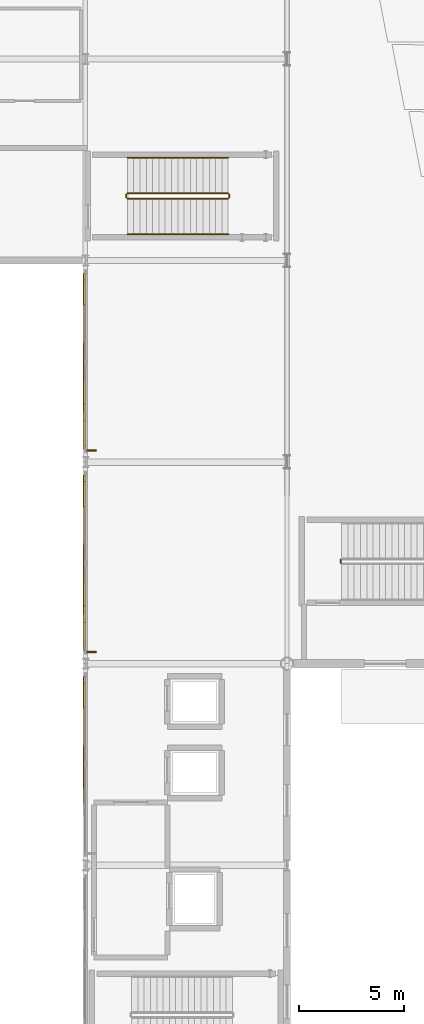
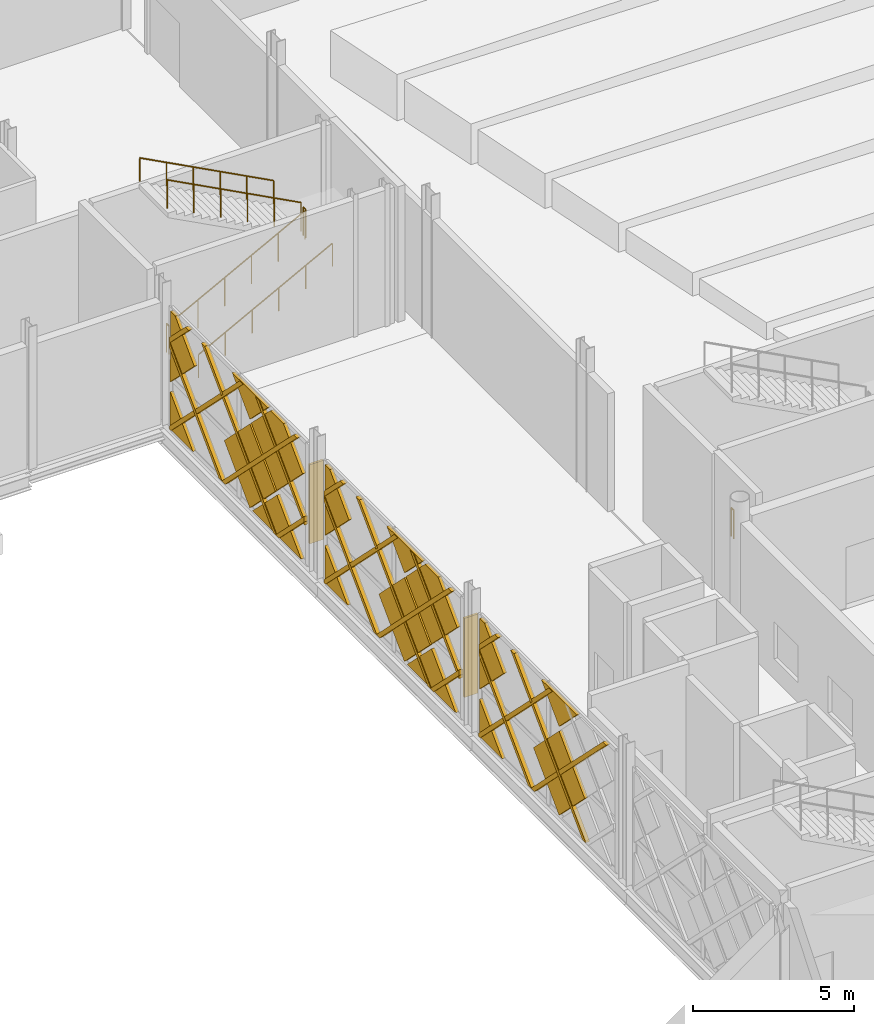
# One storey, part 77 of 84: 35 coverings, 7 railings, 2 shading devices.
"""IFC4 building model written with IfcOpenShell, lengths in metres."""

from ifc_helpers import new_model, si_unit, direction, frame, origin, origin_2d, place, context, subcontext, project, spatial, polyline, rectangle, circle, outline, extrude, material, layer, layer_set, type_object, element, save


model = new_model("IFC4")

# Units and contexts
model_context = context("Model", 3, precision=1e-05, world=origin(), true_north=direction((0.0, 1.0)))
body_context = subcontext(model_context, "Body", "Model", "MODEL_VIEW")
ifc_project = project(units=[si_unit("LENGTHUNIT", "METRE"), si_unit("AREAUNIT", "SQUARE_METRE"), si_unit("VOLUMEUNIT", "CUBIC_METRE"), si_unit("PLANEANGLEUNIT", "RADIAN"), si_unit("MASSUNIT", "GRAM", prefix="KILO")], contexts=[model_context])

# Site, building, storey
site_placement = place(None, origin())
site = spatial("IfcSite", under=ifc_project, at=site_placement, CompositionType="ELEMENT")
building_placement = place(site_placement, origin())
building = spatial("IfcBuilding", under=site, at=building_placement, Name="Zevrakil Square Congress Hotel", CompositionType="ELEMENT")
storey_placement = place(building_placement, origin())
storey = spatial("IfcBuildingStorey", under=building, at=storey_placement, Name="L01", CompositionType="ELEMENT", Elevation=0.0)

# Coverings
ifc_material_1 = material(Name="Architectural White Fibre-C GRC", Category="concrete")
ifc_layer_1 = layer(ifc_material_1, 0.06494140625)
ifc_layer_set_1 = layer_set([ifc_layer_1], Name="Architectural White Fibre-C GRC")
covering_type_1 = type_object("IfcCoveringType", Name="COV-DIA-WHITE", PredefinedType="CLADDING", material=ifc_layer_set_1)
covering_1_placement = place(storey_placement, frame((107.905029296875, 62.77001953125, 0.080078125), z_axis=(-0.999999760125, 0.0, 0.000692640526), x_axis=(0.0, 1.0, 0.0)))
element("IfcCovering", 1, at=covering_1_placement, inside=storey, type_object=covering_type_1, Name="L01 45-degree white GRC diamond facade cassette 1803", PredefinedType="CLADDING", context=body_context, shape_type="SweptSolid", body=[
    extrude(outline(polyline([(0.0, 0.0), (1.409912109375, 0.0), (1.409912109375, -1.4099124475784228), (0.0, 0.0)])), origin(), (0.0, 0.0, -1.0), 0.1201171875),
])
covering_2_placement = place(storey_placement, frame((107.906982421875, 59.239990234375, 3.27001953125), z_axis=(-0.999999811377, 0.0, 0.000614203339), x_axis=(-0.000434307387, -0.707106714509, -0.707106714488)))
element("IfcCovering", 2, at=covering_2_placement, inside=storey, type_object=covering_type_1, Name="L01 45-degree white GRC diamond facade cassette 1805", PredefinedType="CLADDING", context=body_context, shape_type="SweptSolid", body=[
    extrude(outline(polyline([(0.0, 0.0), (2.2487240723349844, 0.0), (2.2485518629555123, -2.248551438892285), (4.240957449663796e-07, -2.2487240723349444), (0.0, 0.0)])), origin(), (0.0, 0.0, -1.0), 0.1201171875),
])
covering_3_placement = place(storey_placement, frame((107.906982421875, 62.68994140625, 3.360107421875), z_axis=(-0.999999796877, -1.5124946e-05, 0.000637194918), x_axis=(-0.000461259844, 0.707106705284, -0.707106706645)))
element("IfcCovering", 3, at=covering_3_placement, inside=storey, type_object=covering_type_1, Name="L01 45-degree white GRC diamond facade cassette 1806", PredefinedType="CLADDING", context=body_context, shape_type="SweptSolid", body=[
    extrude(outline(polyline([(0.0, 0.0), (2.1071646235448194, 0.0), (0.21579150176201334, -1.8913727160652014), (0.00017229402297236351, -1.6757534620850172), (0.0, 0.0)])), origin(), (0.0, 0.0, -1.0), 0.1201171875),
])
covering_4_placement = place(storey_placement, frame((107.906982421875, 59.239990234375, 3.449951171875), z_axis=(-0.999999776289, 0.0, 0.000668896171), x_axis=(0.000472981072, 0.707106702093, 0.707106702093)))
element("IfcCovering", 4, at=covering_4_placement, inside=storey, type_object=covering_type_1, Name="L01 45-degree white GRC diamond facade cassette 1808", PredefinedType="CLADDING", context=body_context, shape_type="SweptSolid", body=[
    extrude(outline(polyline([(0.0, 0.0), (1.5485225919714303, 1.1102230246251565e-16), (3.464216833393152e-07, -1.5485225919713916), (0.0, 0.0)])), origin(), (0.0, 0.0, -1.0), 0.1201171875),
])
covering_5_placement = place(storey_placement, frame((107.905029296875, 72.3701171875, 0.080078125), z_axis=(-0.999999760125, 0.0, 0.000692640526), x_axis=(0.0, 1.0, 0.0)))
element("IfcCovering", 5, at=covering_5_placement, inside=storey, type_object=covering_type_1, Name="L01 45-degree white GRC diamond facade cassette 1871", PredefinedType="CLADDING", context=body_context, shape_type="SweptSolid", body=[
    extrude(outline(polyline([(0.0, 0.0), (1.409912109375, 0.0), (1.409912109375, -1.4099124475784228), (0.0, 0.0)])), origin(), (0.0, 0.0, -1.0), 0.1201171875),
])
covering_6_placement = place(storey_placement, frame((107.906005859375, 67.159912109375, 1.590087890625), z_axis=(-0.999999790873, 0.0, 0.000646725815), x_axis=(-0.000457304257, -0.707106707249, -0.707106707249)))
element("IfcCovering", 6, at=covering_6_placement, inside=storey, type_object=covering_type_1, Name="L01 45-degree white GRC diamond facade cassette 1872", PredefinedType="CLADDING", context=body_context, shape_type="SweptSolid", body=[
    extrude(outline(polyline([(0.0, 0.0), (2.1354765131557993, 0.0), (4.465861884739297e-07, -2.1354765131557527), (0.0, 0.0)])), origin(), (0.0, 0.0, -1.0), 0.1201171875),
])
covering_7_placement = place(storey_placement, frame((107.906982421875, 68.840087890625, 3.27001953125), z_axis=(-0.999999811377, 0.0, 0.000614203339), x_axis=(-0.000434307387, -0.707106714509, -0.707106714488)))
element("IfcCovering", 7, at=covering_7_placement, inside=storey, type_object=covering_type_1, Name="L01 45-degree white GRC diamond facade cassette 1873", PredefinedType="CLADDING", context=body_context, shape_type="SweptSolid", body=[
    extrude(outline(polyline([(0.0, 0.0), (2.2487240723349844, 0.0), (2.2485518629555123, -2.248551438892285), (0.00017305757096663932, -2.248551438827165), (0.0, 0.0)])), origin(), (0.0, 0.0, -1.0), 0.1201171875),
])
covering_8_placement = place(storey_placement, frame((107.906982421875, 72.2900390625, 3.360107421875), z_axis=(-0.999999796877, -1.5124946e-05, 0.000637194918), x_axis=(-0.000461259844, 0.707106705284, -0.707106706645)))
element("IfcCovering", 8, at=covering_8_placement, inside=storey, type_object=covering_type_1, Name="L01 45-degree white GRC diamond facade cassette 1874", PredefinedType="CLADDING", context=body_context, shape_type="SweptSolid", body=[
    extrude(outline(polyline([(0.0, 0.0), (2.1071646235448194, 0.0), (0.21579150176201334, -1.8913727160652014), (0.00017229402297236351, -1.6757534620850172), (0.0, 0.0)])), origin(), (0.0, 0.0, -1.0), 0.1201171875),
])
covering_9_placement = place(storey_placement, frame((107.906982421875, 65.570068359375, 3.360107421875), z_axis=(-0.999999810212, 0.0, 0.000616097645), x_axis=(-0.00043568031, 0.707052423992, -0.707160999992)))
element("IfcCovering", 9, at=covering_9_placement, inside=storey, type_object=covering_type_1, Name="L01 45-degree white GRC diamond facade cassette 1875", PredefinedType="CLADDING", context=body_context, shape_type="SweptSolid", body=[
    extrude(outline(polyline([(0.0, 0.0), (2.2485514454846505, 2.220446049250313e-16), (2.248378374631862, -2.2487240656727514), (0.572624930769719, -2.248422777544064), (-0.00012896151653973842, -1.6755808236168326), (0.0, 0.0)])), origin(), (0.0, 0.0, -1.0), 0.1201171875),
])
covering_10_placement = place(storey_placement, frame((107.906982421875, 68.840087890625, 3.449951171875), z_axis=(-0.999999776289, 0.0, 0.000668896171), x_axis=(0.000472981072, 0.707106702093, 0.707106702093)))
element("IfcCovering", 10, at=covering_10_placement, inside=storey, type_object=covering_type_1, Name="L01 45-degree white GRC diamond facade cassette 1876", PredefinedType="CLADDING", context=body_context, shape_type="SweptSolid", body=[
    extrude(outline(polyline([(0.0, 0.0), (1.5485225919714303, 1.1102230246251565e-16), (3.464216833393152e-07, -1.5485225919713916), (0.0, 0.0)])), origin(), (0.0, 0.0, -1.0), 0.1201171875),
])
covering_11_placement = place(storey_placement, frame((107.905029296875, 81.969970703125, 0.080078125), z_axis=(-0.999999760125, 0.0, 0.000692640526), x_axis=(0.0, 1.0, 0.0)))
element("IfcCovering", 11, at=covering_11_placement, inside=storey, type_object=covering_type_1, Name="L01 45-degree white GRC diamond facade cassette 1939", PredefinedType="CLADDING", context=body_context, shape_type="SweptSolid", body=[
    extrude(outline(polyline([(0.0, 0.0), (1.409912109375, 0.0), (1.409912109375, -1.4099124475784228), (0.0, 0.0)])), origin(), (0.0, 0.0, -1.0), 0.1201171875),
])
covering_12_placement = place(storey_placement, frame((107.906005859375, 76.760009765625, 1.590087890625), z_axis=(-0.999999790873, 0.0, 0.000646725815), x_axis=(-0.000457304257, -0.707106707249, -0.707106707249)))
element("IfcCovering", 12, at=covering_12_placement, inside=storey, type_object=covering_type_1, Name="L01 45-degree white GRC diamond facade cassette 1940", PredefinedType="CLADDING", context=body_context, shape_type="SweptSolid", body=[
    extrude(outline(polyline([(0.0, 0.0), (2.1354765131557993, 0.0), (4.465861884739297e-07, -2.1354765131557527), (0.0, 0.0)])), origin(), (0.0, 0.0, -1.0), 0.1201171875),
])
covering_13_placement = place(storey_placement, frame((107.906982421875, 78.43994140625, 3.27001953125), z_axis=(-0.999999811377, 0.0, 0.000614203339), x_axis=(-0.00043434073, -0.707052423991, -0.707161000817)))
element("IfcCovering", 13, at=covering_13_placement, inside=storey, type_object=covering_type_1, Name="L01 45-degree white GRC diamond facade cassette 1941", PredefinedType="CLADDING", context=body_context, shape_type="SweptSolid", body=[
    extrude(outline(polyline([(0.0, 0.0), (2.2485514454867683, -2.220446049250313e-16), (2.2487244898357783, -2.248378798725448), (0.0001730708570240047, -2.2487240656748693), (0.0, 0.0)])), origin(), (0.0, 0.0, -1.0), 0.1201171875),
])
covering_14_placement = place(storey_placement, frame((107.906982421875, 81.889892578125, 3.360107421875), z_axis=(-0.999999796877, -1.5124946e-05, 0.000637194918), x_axis=(-0.000461259844, 0.707106705284, -0.707106706645)))
element("IfcCovering", 14, at=covering_14_placement, inside=storey, type_object=covering_type_1, Name="L01 45-degree white GRC diamond facade cassette 1942", PredefinedType="CLADDING", context=body_context, shape_type="SweptSolid", body=[
    extrude(outline(polyline([(0.0, 0.0), (2.1071646235448194, 0.0), (0.21579150176201334, -1.8913727160652014), (0.00017229402297236351, -1.6757534620850172), (0.0, 0.0)])), origin(), (0.0, 0.0, -1.0), 0.1201171875),
])
covering_15_placement = place(storey_placement, frame((107.906982421875, 75.169921875, 3.360107421875), z_axis=(-0.999999810212, 0.0, 0.00061609763), x_axis=(-0.000435646853, 0.707106714509, -0.707106713663)))
element("IfcCovering", 15, at=covering_15_placement, inside=storey, type_object=covering_type_1, Name="L01 45-degree white GRC diamond facade cassette 1943", PredefinedType="CLADDING", context=body_context, shape_type="SweptSolid", body=[
    extrude(outline(polyline([(0.0, 0.0), (2.248724072332866, -2.220446049250313e-16), (2.2487236482413566, -2.2487240723328266), (0.5729701861865238, -2.248551440898992), (0.00017231540003370682, -1.67575346208736), (0.0, 0.0)])), origin(), (0.0, 0.0, -1.0), 0.1201171875),
])
covering_16_placement = place(storey_placement, frame((107.906982421875, 78.43994140625, 3.449951171875), z_axis=(-0.999999776289, 0.0, 0.000668896171), x_axis=(0.000472981072, 0.707106702093, 0.707106702093)))
element("IfcCovering", 16, at=covering_16_placement, inside=storey, type_object=covering_type_1, Name="L01 45-degree white GRC diamond facade cassette 1944", PredefinedType="CLADDING", context=body_context, shape_type="SweptSolid", body=[
    extrude(outline(polyline([(0.0, 0.0), (1.5485225919714303, 1.1102230246251565e-16), (3.464216833393152e-07, -1.5485225919713916), (0.0, 0.0)])), origin(), (0.0, 0.0, -1.0), 0.1201171875),
])
ifc_material_2 = material(Name="Anodised Champagne Aluminium", Category="aluminium")
ifc_layer_2 = layer(ifc_material_2, 0.0849609375)
ifc_layer_set_2 = layer_set([ifc_layer_2], Name="Anodised Champagne Aluminium")
covering_type_2 = type_object("IfcCoveringType", Name="COV-DIAGRID-45", PredefinedType="MOLDING", material=ifc_layer_set_2)
covering_17_placement = place(storey_placement, frame((107.882080078125, 64.179931640625, 3.35400390625), z_axis=(-0.999999886045, -0.000337571696, 0.000337571696), x_axis=(0.000337571676, 1.13955e-07, 0.999999943023)))
element("IfcCovering", 17, at=covering_17_placement, inside=storey, type_object=covering_type_2, Name="L01 45-degree aluminium diagrid rib 1809", PredefinedType="MOLDING", context=body_context, shape_type="SweptSolid", body=[
    extrude(outline(polyline([(0.0, 0.0), (0.21215819103679281, 2.8078904387053947e-24), (1.1909180366053258, -0.9787599571027873), (1.1909180124289107, -1.1909181481395787), (0.0, 0.0)])), origin(), (0.0, 0.0, -1.0), 0.14501953125),
])
covering_18_placement = place(storey_placement, frame((107.8798828125, 64.093994140625, 0.080078125), z_axis=(-0.999999396509, 0.000383999768, 0.001029332712), x_axis=(0.000383999565, 0.999999926272, -3.95264e-07)))
element("IfcCovering", 18, at=covering_18_placement, inside=storey, type_object=covering_type_2, Name="L01 45-degree aluminium diagrid rib 1810", PredefinedType="MOLDING", context=body_context, shape_type="SweptSolid", body=[
    extrude(outline(polyline([(0.0, 0.0), (0.08593749366400741, 0.0), (0.0859375376199576, -0.12597674706421155), (-4.252930013731642, -4.464844400313782), (-4.46508820121466, -4.464844400313782), (0.0, 0.0)])), origin(), (0.0, 0.0, -1.0), 0.14501953125),
])
covering_19_placement = place(storey_placement, frame((107.8798828125, 60.73388671875, 0.080078125), z_axis=(-0.999999784722, 0.0, 0.000656167838), x_axis=(0.0, 1.0, 0.0)))
element("IfcCovering", 19, at=covering_19_placement, inside=storey, type_object=covering_type_2, Name="L01 45-degree aluminium diagrid rib 1811", PredefinedType="MOLDING", context=body_context, shape_type="SweptSolid", body=[
    extrude(outline(polyline([(0.0, 0.0), (0.212158203125, 0.0), (-4.252685546875, -4.464844711183459), (-4.465087890625, -4.464844711183459), (0.0, 0.0)])), origin(), (0.0, 0.0, -1.0), 0.14501953125),
])
covering_20_placement = place(storey_placement, frame((107.8818359375, 64.179931640625, 3.15380859375), z_axis=(-0.999999563237, -0.00024841695, 0.000901007836), x_axis=(0.000901007879, -6.1711e-08, 0.999999594092)))
element("IfcCovering", 20, at=covering_20_placement, inside=storey, type_object=covering_type_2, Name="L01 45-degree aluminium diagrid rib 1813", PredefinedType="MOLDING", context=body_context, shape_type="SweptSolid", body=[
    extrude(outline(polyline([(0.0, 0.0), (0.21240247750688343, 1.3234889800848443e-23), (-3.0737307780898484, -3.286133103578079), (-3.0737307911973972, -3.073730766381858), (0.0, 0.0)])), origin(), (0.0, 0.0, -1.0), 0.14501953125),
])
covering_21_placement = place(storey_placement, frame((107.8828125, 62.211181640625, 4.544921875), z_axis=(-0.999999784722, 0.0, 0.000656167838), x_axis=(0.0, -1.0, 0.0)))
element("IfcCovering", 21, at=covering_21_placement, inside=storey, type_object=covering_type_2, Name="L01 45-degree aluminium diagrid rib 1814", PredefinedType="MOLDING", context=body_context, shape_type="SweptSolid", body=[
    extrude(outline(polyline([(0.0, 0.0), (0.21240234375, 0.0), (4.67724609375, -4.464844711183459), (4.465087890625, -4.464844711183459), (0.0, 0.0)])), origin(), (0.0, 0.0, -1.0), 0.14501953125),
])
covering_22_placement = place(storey_placement, frame((107.882080078125, 73.780029296875, 3.35400390625), z_axis=(-0.999999886071, -0.000337533715, 0.000337533715), x_axis=(0.000337533696, 1.13929e-07, 0.999999943035)))
element("IfcCovering", 22, at=covering_22_placement, inside=storey, type_object=covering_type_2, Name="L01 45-degree aluminium diagrid rib 1877", PredefinedType="MOLDING", context=body_context, shape_type="SweptSolid", body=[
    extrude(outline(polyline([(0.0, 0.0), (0.21215819103951278, -2.8078904387053947e-24), (1.1909180365900578, -0.9790040976986103), (1.1909180124190826, -1.1911622887381215), (0.0, 0.0)])), origin(), (0.0, 0.0, -1.0), 0.14501953125),
])
covering_23_placement = place(storey_placement, frame((107.8798828125, 73.69384765625, 0.080078125), z_axis=(-0.999999396817, 0.000383776958, 0.001029116189), x_axis=(0.000383776755, 0.999999926358, -3.94951e-07)))
element("IfcCovering", 23, at=covering_23_placement, inside=storey, type_object=covering_type_2, Name="L01 45-degree aluminium diagrid rib 1878", PredefinedType="MOLDING", context=body_context, shape_type="SweptSolid", body=[
    extrude(outline(polyline([(0.0, 0.0), (0.0861816342783789, 4.562418066112793e-24), (0.08618167821929257, -0.1259767470394235), (-4.25268587274615, -4.464844400674432), (-4.464844060247315, -4.464844400674432), (0.0, 0.0)])), origin(), (0.0, 0.0, -1.0), 0.14501953125),
])
covering_24_placement = place(storey_placement, frame((107.8798828125, 70.333984375, 0.080078125), z_axis=(-0.999999784722, 0.0, 0.000656167838), x_axis=(0.0, 1.0, 0.0)))
element("IfcCovering", 24, at=covering_24_placement, inside=storey, type_object=covering_type_2, Name="L01 45-degree aluminium diagrid rib 1879", PredefinedType="MOLDING", context=body_context, shape_type="SweptSolid", body=[
    extrude(outline(polyline([(0.0, 0.0), (0.212158203125, 0.0), (-4.2529296875, -4.46484471118346), (-4.465087890625, -4.46484471118346), (0.0, 0.0)])), origin(), (0.0, 0.0, -1.0), 0.14501953125),
])
covering_25_placement = place(storey_placement, frame((107.8798828125, 66.973876953125, 0.080078125), z_axis=(-0.999999864806, -0.000367898991, 0.000367476119), x_axis=(-0.000367898966, 0.999999932325, 1.35194e-07)))
element("IfcCovering", 25, at=covering_25_placement, inside=storey, type_object=covering_type_2, Name="L01 45-degree aluminium diagrid rib 1880", PredefinedType="MOLDING", context=body_context, shape_type="SweptSolid", body=[
    extrude(outline(polyline([(0.0, 0.0), (0.21215818876722836, 0.0), (-1.5539551832886624, -1.7661136105824378), (-1.5539552120042066, -1.5537112811737082), (0.0, 0.0)])), origin(), (0.0, 0.0, -1.0), 0.14501953125),
])
covering_26_placement = place(storey_placement, frame((107.8818359375, 73.780029296875, 3.15380859375), z_axis=(-0.99999956307, -0.000248555027, 0.000901155454), x_axis=(0.000901155497, -6.1709e-08, 0.999999593959)))
element("IfcCovering", 26, at=covering_26_placement, inside=storey, type_object=covering_type_2, Name="L01 45-degree aluminium diagrid rib 1881", PredefinedType="MOLDING", context=body_context, shape_type="SweptSolid", body=[
    extrude(outline(polyline([(0.0, 0.0), (0.21240247751467006, 1.3234889800848443e-23), (-3.0737307779771657, -3.2861331036834778), (-3.073730791069141, -3.073974907112003), (0.0, 0.0)])), origin(), (0.0, 0.0, -1.0), 0.14501953125),
])
covering_27_placement = place(storey_placement, frame((107.8828125, 71.81103515625, 4.544921875), z_axis=(-0.999999784722, 0.0, 0.000656167838), x_axis=(0.0, -1.0, 0.0)))
element("IfcCovering", 27, at=covering_27_placement, inside=storey, type_object=covering_type_2, Name="L01 45-degree aluminium diagrid rib 1882", PredefinedType="MOLDING", context=body_context, shape_type="SweptSolid", body=[
    extrude(outline(polyline([(0.0, 0.0), (0.212158203125, 0.0), (4.67724609375, -4.464844711183459), (4.46484375, -4.464844711183459), (0.0, 0.0)])), origin(), (0.0, 0.0, -1.0), 0.14501953125),
])
covering_28_placement = place(storey_placement, frame((107.8828125, 68.451171875, 4.544921875), z_axis=(-0.999999570964, -0.000262354292, 0.0008883932), x_axis=(0.000262354189, -0.999999965585, -2.33074e-07)))
element("IfcCovering", 28, at=covering_28_placement, inside=storey, type_object=covering_type_2, Name="L01 45-degree aluminium diagrid rib 1883", PredefinedType="MOLDING", context=body_context, shape_type="SweptSolid", body=[
    extrude(outline(polyline([(0.0, 0.0), (0.2121581958235992, 0.0), (3.0312501043201325, -2.8188480621226986), (3.031250089717331, -3.031006398418422), (0.0, 0.0)])), origin(), (0.0, 0.0, -1.0), 0.14501953125),
])
covering_29_placement = place(storey_placement, frame((107.882080078125, 83.3798828125, 3.35400390625), z_axis=(-0.999999886045, -0.000337571696, 0.000337571696), x_axis=(0.000337571676, 1.13955e-07, 0.999999943023)))
element("IfcCovering", 29, at=covering_29_placement, inside=storey, type_object=covering_type_2, Name="L01 45-degree aluminium diagrid rib 1945", PredefinedType="MOLDING", context=body_context, shape_type="SweptSolid", body=[
    extrude(outline(polyline([(0.0, 0.0), (0.21215819103679281, 2.8078904387053947e-24), (1.1909180366053258, -0.9787599571027873), (1.1909180124289107, -1.1909181481395787), (0.0, 0.0)])), origin(), (0.0, 0.0, -1.0), 0.14501953125),
])
covering_30_placement = place(storey_placement, frame((107.8798828125, 83.2939453125, 0.080078125), z_axis=(-0.999999396509, 0.000383999768, 0.001029332712), x_axis=(0.000383999565, 0.999999926272, -3.95264e-07)))
element("IfcCovering", 30, at=covering_30_placement, inside=storey, type_object=covering_type_2, Name="L01 45-degree aluminium diagrid rib 1946", PredefinedType="MOLDING", context=body_context, shape_type="SweptSolid", body=[
    extrude(outline(polyline([(0.0, 0.0), (0.08593749366400741, 0.0), (0.0859375376199576, -0.12597674706421155), (-4.252930013731642, -4.464844400313782), (-4.46508820121466, -4.464844400313782), (0.0, 0.0)])), origin(), (0.0, 0.0, -1.0), 0.14501953125),
])
covering_31_placement = place(storey_placement, frame((107.8798828125, 79.933837890625, 0.080078125), z_axis=(-0.999999784722, 0.0, 0.000656167838), x_axis=(0.0, 1.0, 0.0)))
element("IfcCovering", 31, at=covering_31_placement, inside=storey, type_object=covering_type_2, Name="L01 45-degree aluminium diagrid rib 1947", PredefinedType="MOLDING", context=body_context, shape_type="SweptSolid", body=[
    extrude(outline(polyline([(0.0, 0.0), (0.212158203125, 0.0), (-4.252685546875, -4.46484471118346), (-4.46484375, -4.46484471118346), (0.0, 0.0)])), origin(), (0.0, 0.0, -1.0), 0.14501953125),
])
covering_32_placement = place(storey_placement, frame((107.8798828125, 76.573974609375, 0.080078125), z_axis=(-0.999999864806, -0.000367898991, 0.000367476119), x_axis=(-0.000367898966, 0.999999932325, 1.35194e-07)))
element("IfcCovering", 32, at=covering_32_placement, inside=storey, type_object=covering_type_2, Name="L01 45-degree aluminium diagrid rib 1948", PredefinedType="MOLDING", context=body_context, shape_type="SweptSolid", body=[
    extrude(outline(polyline([(0.0, 0.0), (0.21215818876722836, 0.0), (-1.5539551832886624, -1.7661136105824378), (-1.5539552120042066, -1.5537112811737082), (0.0, 0.0)])), origin(), (0.0, 0.0, -1.0), 0.14501953125),
])
covering_33_placement = place(storey_placement, frame((107.8818359375, 83.3798828125, 3.15380859375), z_axis=(-0.999999563076, -0.000248564574, 0.000901145918), x_axis=(0.000901145961, -6.1713e-08, 0.999999593968)))
element("IfcCovering", 33, at=covering_33_placement, inside=storey, type_object=covering_type_2, Name="L01 45-degree aluminium diagrid rib 1949", PredefinedType="MOLDING", context=body_context, shape_type="SweptSolid", body=[
    extrude(outline(polyline([(0.0, 0.0), (0.21240247751416722, 1.3234889800848443e-23), (-3.073730777984443, -3.2858889630733055), (-3.073730791077424, -3.073730766502334), (0.0, 0.0)])), origin(), (0.0, 0.0, -1.0), 0.14501953125),
])
covering_34_placement = place(storey_placement, frame((107.8828125, 81.4111328125, 4.544921875), z_axis=(-0.999999784722, 0.0, 0.000656167838), x_axis=(0.0, -1.0, 0.0)))
element("IfcCovering", 34, at=covering_34_placement, inside=storey, type_object=covering_type_2, Name="L01 45-degree aluminium diagrid rib 1950", PredefinedType="MOLDING", context=body_context, shape_type="SweptSolid", body=[
    extrude(outline(polyline([(0.0, 0.0), (0.212158203125, 0.0), (4.67724609375, -4.46484471118346), (4.465087890625, -4.46484471118346), (0.0, 0.0)])), origin(), (0.0, 0.0, -1.0), 0.14501953125),
])
covering_35_placement = place(storey_placement, frame((107.8828125, 78.051025390625, 4.544921875), z_axis=(-0.999999570971, -0.000262365241, 0.000888382251), x_axis=(0.000262365138, -0.999999965582, -2.33081e-07)))
element("IfcCovering", 35, at=covering_35_placement, inside=storey, type_object=covering_type_2, Name="L01 45-degree aluminium diagrid rib 1951", PredefinedType="MOLDING", context=body_context, shape_type="SweptSolid", body=[
    extrude(outline(polyline([(0.0, 0.0), (0.21215819582298975, 0.0), (3.031005963695437, -2.8188480621314063), (3.0310059490914165, -3.03100639842652), (0.0, 0.0)])), origin(), (0.0, 0.0, -1.0), 0.14501953125),
])

# Railings
ifc_material_3 = material(Name="Steel S355", Category="steel")
railing_type_1 = type_object("IfcRailingType", Name="RLG-STAIR-GUARD-1100", PredefinedType="BALUSTRADE", material=ifc_material_3)
railing_1_placement = place(storey_placement, frame((110.0, 86.949951171875, 0.158935546875)))
element("IfcRailing", 36, at=railing_1_placement, inside=storey, type_object=railing_type_1, Name="L01 ST06 stair guard 1", PredefinedType="BALUSTRADE", context=body_context, shape_type="SweptSolid", body=[
    extrude(circle(Radius=0.02392578125, at=origin_2d()), frame((0.0, 0.0, 1.076171875), z_axis=(0.883802130504, 0.0, 0.467860870469), x_axis=(0.0, 1.0, 0.0)), (0.0, 0.0, 1.0), 5.43115234375),
    extrude(circle(Radius=0.02099609375, at=origin_2d()), origin(), (0.0, 0.0, 1.0), 1.052001953125),
    extrude(circle(Radius=0.02099609375, at=origin_2d()), frame((0.9599609375, 0.0, 0.50830078125)), (0.0, 0.0, 1.0), 1.052001953125),
    extrude(circle(Radius=0.02099609375, at=origin_2d()), frame((1.919921875, 0.0, 1.016357421875)), (0.0, 0.0, 1.0), 1.052001953125),
    extrude(circle(Radius=0.02099609375, at=origin_2d()), frame((2.880126953125, 0.0, 1.524658203125)), (0.0, 0.0, 1.0), 1.052001953125),
    extrude(circle(Radius=0.02099609375, at=origin_2d()), frame((3.840087890625, 0.0, 2.03271484375)), (0.0, 0.0, 1.0), 1.052001953125),
    extrude(circle(Radius=0.02099609375, at=origin_2d()), frame((4.800048828125, 0.0, 2.541015625)), (0.0, 0.0, 1.0), 1.052001953125),
])
railing_2_placement = place(storey_placement, frame((114.85009765625, 87.0, 2.699951171875)))
element("IfcRailing", 37, at=railing_2_placement, inside=storey, type_object=railing_type_1, Name="L01 ST06 stair guard 2", PredefinedType="BALUSTRADE", context=body_context, shape_type="SweptSolid", body=[
    extrude(circle(Radius=0.02392578125, at=origin_2d()), frame((0.0, 0.0, 1.076171875), z_axis=(0.0, 1.0, 0.0), x_axis=(-1.0, 0.0, 0.0)), (0.0, 0.0, 1.0), 0.14990234375),
    extrude(circle(Radius=0.02099609375, at=origin_2d()), origin(), (0.0, 0.0, 1.0), 1.052001953125),
    extrude(circle(Radius=0.02099609375, at=origin_2d()), frame((0.0, 0.14990234375, 0.0)), (0.0, 0.0, 1.0), 1.052001953125),
])
railing_3_placement = place(storey_placement, frame((114.800048828125, 87.199951171875, 2.85888671875)))
element("IfcRailing", 38, at=railing_3_placement, inside=storey, type_object=railing_type_1, Name="L01 ST06 stair guard 3", PredefinedType="BALUSTRADE", context=body_context, shape_type="SweptSolid", body=[
    extrude(circle(Radius=0.02392578125, at=origin_2d()), frame((0.0, 0.0, 1.076171875), z_axis=(-0.883802130504, 0.0, 0.467860870469), x_axis=(0.0, -1.0, 0.0)), (0.0, 0.0, 1.0), 5.43115234375),
    extrude(circle(Radius=0.02099609375, at=origin_2d()), origin(), (0.0, 0.0, 1.0), 1.052001953125),
    extrude(circle(Radius=0.02099609375, at=origin_2d()), frame((-0.9599609375, 0.0, 0.50830078125)), (0.0, 0.0, 1.0), 1.052001953125),
    extrude(circle(Radius=0.02099609375, at=origin_2d()), frame((-1.919921875, 0.0, 1.016357421875)), (0.0, 0.0, 1.0), 1.052001953125),
    extrude(circle(Radius=0.02099609375, at=origin_2d()), frame((-2.880126953125, 0.0, 1.524658203125)), (0.0, 0.0, 1.0), 1.052001953125),
    extrude(circle(Radius=0.02099609375, at=origin_2d()), frame((-3.840087890625, 0.0, 2.03271484375)), (0.0, 0.0, 1.0), 1.052001953125),
    extrude(circle(Radius=0.02099609375, at=origin_2d()), frame((-4.800048828125, 0.0, 2.541015625)), (0.0, 0.0, 1.0), 1.052001953125),
])
for number, where, name in (
    (39, (109.949951171875, 87.0, 0.0), "L01 ST06 stair guard 4"),
    (40, (120.14990234375, 69.60009765625, 0.0), "L01 ST08 stair guard 4"),
):
    element("IfcRailing", number, at=place(storey_placement, frame(where)), inside=storey, type_object=railing_type_1, Name=name, PredefinedType="BALUSTRADE", context=body_context, shape_type="SweptSolid", body=[
        extrude(circle(Radius=0.02392578125, at=origin_2d()), frame((0.0, 0.0, 1.076171875), z_axis=(0.0, 1.0, 0.0), x_axis=(-1.0, 0.0, 0.0)), (0.0, 0.0, 1.0), 0.14990234375),
        extrude(circle(Radius=0.02099609375, at=origin_2d()), origin(), (0.0, 0.0, 1.0), 1.052001953125),
        extrude(circle(Radius=0.02099609375, at=origin_2d()), frame((0.0, 0.14990234375, 0.0)), (0.0, 0.0, 1.0), 1.052001953125),
    ])
ifc_material_4 = material(Name="Steel S355", Category="steel")
railing_type_2 = type_object("IfcRailingType", Name="RLG-STAIR-HAND-900", PredefinedType="HANDRAIL", material=ifc_material_4)
railing_4_placement = place(storey_placement, frame((110.0, 85.25, 0.158935546875)))
element("IfcRailing", 41, at=railing_4_placement, inside=storey, type_object=railing_type_2, Name="L01 ST06 stair handrail 1", PredefinedType="HANDRAIL", context=body_context, shape_type="SweptSolid", body=[
    extrude(circle(Radius=0.02392578125, at=origin_2d()), frame((0.0, 0.0, 0.8759765625), z_axis=(0.883802130504, 0.0, 0.467860870469), x_axis=(0.0, 1.0, 0.0)), (0.0, 0.0, 1.0), 5.43115234375),
    extrude(circle(Radius=0.02099609375, at=origin_2d()), origin(), (0.0, 0.0, 1.0), 0.851806640625),
    extrude(circle(Radius=0.02099609375, at=origin_2d()), frame((0.9599609375, 0.0, 0.50830078125)), (0.0, 0.0, 1.0), 0.851806640625),
    extrude(circle(Radius=0.02099609375, at=origin_2d()), frame((1.919921875, 0.0, 1.016357421875)), (0.0, 0.0, 1.0), 0.851806640625),
    extrude(circle(Radius=0.02099609375, at=origin_2d()), frame((2.880126953125, 0.0, 1.524658203125)), (0.0, 0.0, 1.0), 0.851806640625),
    extrude(circle(Radius=0.02099609375, at=origin_2d()), frame((3.840087890625, 0.0, 2.03271484375)), (0.0, 0.0, 1.0), 0.851806640625),
    extrude(circle(Radius=0.02099609375, at=origin_2d()), frame((4.800048828125, 0.0, 2.541015625)), (0.0, 0.0, 1.0), 0.851806640625),
])
railing_5_placement = place(storey_placement, frame((114.800048828125, 88.89990234375, 2.85888671875)))
element("IfcRailing", 42, at=railing_5_placement, inside=storey, type_object=railing_type_2, Name="L01 ST06 stair handrail 2", PredefinedType="HANDRAIL", context=body_context, shape_type="SweptSolid", body=[
    extrude(circle(Radius=0.02392578125, at=origin_2d()), frame((0.0, 0.0, 0.8759765625), z_axis=(-0.883802130504, 0.0, 0.467860870469), x_axis=(0.0, -1.0, 0.0)), (0.0, 0.0, 1.0), 5.43115234375),
    extrude(circle(Radius=0.02099609375, at=origin_2d()), origin(), (0.0, 0.0, 1.0), 0.851806640625),
    extrude(circle(Radius=0.02099609375, at=origin_2d()), frame((-0.9599609375, 0.0, 0.50830078125)), (0.0, 0.0, 1.0), 0.851806640625),
    extrude(circle(Radius=0.02099609375, at=origin_2d()), frame((-1.919921875, 0.0, 1.016357421875)), (0.0, 0.0, 1.0), 0.851806640625),
    extrude(circle(Radius=0.02099609375, at=origin_2d()), frame((-2.880126953125, 0.0, 1.524658203125)), (0.0, 0.0, 1.0), 0.851806640625),
    extrude(circle(Radius=0.02099609375, at=origin_2d()), frame((-3.840087890625, 0.0, 2.03271484375)), (0.0, 0.0, 1.0), 0.851806640625),
    extrude(circle(Radius=0.02099609375, at=origin_2d()), frame((-4.800048828125, 0.0, 2.541015625)), (0.0, 0.0, 1.0), 0.851806640625),
])

# Shading devices
ifc_material_5 = material(Name="Aluminium Anodised Bronze", Category="aluminium")
shading_device_type = type_object("IfcShadingDeviceType", Name="SHD-FIN-50", PredefinedType="JALOUSIE", material=ifc_material_5)
for number, where, z_axis, x_axis, name in (
    (43, (108.27001953125, 65.360107421875, 0.8125), (0.0, 0.0, 1.0), (1.0, 0.0, 0.0), "L01 aluminium solar shading fin 103"),
    (44, (108.27001953125, 74.9599609375, 0.8125), (0.0, 0.0, 1.0), (1.0, 0.0, 0.0), "L01 aluminium solar shading fin 109"),
):
    element("IfcShadingDevice", number, at=place(storey_placement, frame(where, z_axis=z_axis, x_axis=x_axis)), inside=storey, type_object=shading_device_type, Name=name, PredefinedType="JALOUSIE", context=body_context, shape_type="SweptSolid", body=[
        extrude(rectangle(XDim=0.5, YDim=0.080078125, at=origin_2d()), origin(), (0.0, 0.0, 1.0), 3.0),
    ])

save(model, "model.ifc")
